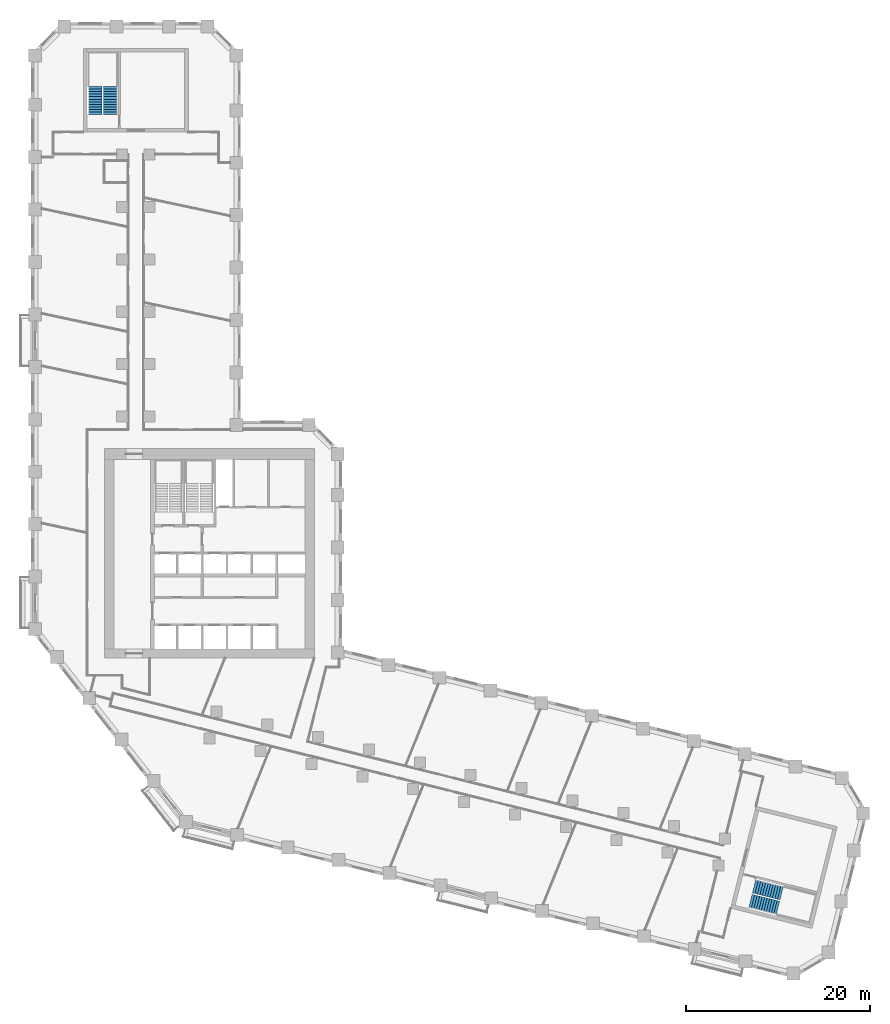
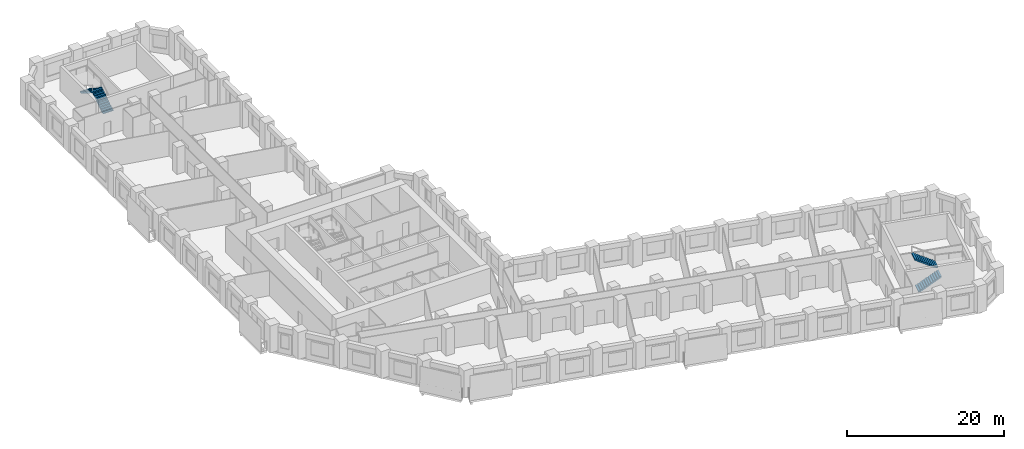
# One storey, part 10 of 11: 4 stair flights, 2 elements without a shape of their own.
"""IFC4 building model written with IfcOpenShell, lengths in metres."""

from ifc_helpers import new_model, si_unit, direction, frame, origin, place, context, subcontext, project, spatial, polyline, outline, extrude, material, type_object, element, aggregate, save


model = new_model("IFC4")

# Units and contexts
model_context = context("Model", 3, precision=1e-05, world=origin(), true_north=direction((0.0, 1.0)))
body_context = subcontext(model_context, "Body", "Model", "MODEL_VIEW")
ifc_project = project(units=[si_unit("LENGTHUNIT", "METRE"), si_unit("AREAUNIT", "SQUARE_METRE"), si_unit("VOLUMEUNIT", "CUBIC_METRE"), si_unit("PLANEANGLEUNIT", "RADIAN"), si_unit("MASSUNIT", "GRAM", prefix="KILO")], contexts=[model_context])

# Site, building, storey
site_placement = place(None, origin())
site = spatial("IfcSite", under=ifc_project, at=site_placement, CompositionType="ELEMENT")
building_placement = place(site_placement, origin())
building = spatial("IfcBuilding", under=site, at=building_placement, Name="Meshkara Civic Tower", CompositionType="ELEMENT")
storey_placement = place(building_placement, frame((0.0, 0.0, 41.39990234375)))
storey = spatial("IfcBuildingStorey", under=building, at=storey_placement, Name="L08", CompositionType="ELEMENT", Elevation=41.39990234375)

# Stair, stair flights
ifc_material_1 = material(Name="Precast concrete C40/50", Category="concrete")
stair_type = type_object("IfcStairType", Name="Exit stair half-turn 24 risers 1500 precast", PredefinedType="HALF_TURN_STAIR", material=ifc_material_1)
stair_1_placement = place(storey_placement, origin())
stair_1 = element("IfcStair", 1, at=stair_1_placement, inside=storey, type_object=stair_type, Name="L08 exit stair A from B2", PredefinedType="HALF_TURN_STAIR")
ifc_material_2 = material(Name="Precast concrete C40/50", Category="concrete")
stair_flight_type = type_object("IfcStairFlightType", Name="Exit stair flight 12 risers 1500 precast", PredefinedType="STRAIGHT", material=ifc_material_2)
stair_flight_1_placement = place(storey_placement, frame((8.625, 73.169921875, 0.0), z_axis=(0.0, 0.0, 1.0), x_axis=(0.0, 1.0, 0.0)))
stair_flight_1 = element("IfcStairFlight", 2, at=stair_flight_1_placement, type_object=stair_flight_type, Name="ESA1 flight 1", NumberOfRisers=12, NumberOfTreads=11, PredefinedType="STRAIGHT", RiserHeight=0.175, TreadLength=0.28, context=body_context, shape_type="SweptSolid", body=[
    extrude(outline(polyline([(0.0, 0.0), (0.0, 0.175048828125), (0.280029296875, 0.175048828125), (0.280029296875, 0.35009765625), (0.56005859375, 0.35009765625), (0.56005859375, 0.52490234375), (0.840087890625, 0.52490234375), (0.840087890625, 0.699951171875), (1.1201171875, 0.699951171875), (1.1201171875, 0.875), (1.39990234375, 0.875), (1.39990234375, 1.050048828125), (1.679931640625, 1.050048828125), (1.679931640625, 1.22509765625), (1.9599609375, 1.22509765625), (1.9599609375, 1.39990234375), (2.239990234375, 1.39990234375), (2.239990234375, 1.574951171875), (2.52001953125, 1.574951171875), (2.52001953125, 1.75), (2.800048828125, 1.75), (2.800048828125, 1.925048828125), (3.080078125, 1.925048828125), (3.080078125, 2.10009765625), (3.080078125, 1.748291015625), (0.28271484375, 0.0), (0.0, 0.0)])), frame((0.0, 0.75, 0.0), z_axis=(0.0, -1.0, 0.0), x_axis=(1.0, 0.0, 0.0)), (0.0, 0.0, 1.0), 1.5),
])
stair_flight_2_placement = place(storey_placement, frame((6.97509765625, 76.25, 2.10009765625), z_axis=(0.0, 0.0, 1.0), x_axis=(0.0, -1.0, 0.0)))
stair_flight_2 = element("IfcStairFlight", 3, at=stair_flight_2_placement, type_object=stair_flight_type, Name="ESA1 flight 2", NumberOfRisers=12, NumberOfTreads=11, PredefinedType="STRAIGHT", RiserHeight=0.175, TreadLength=0.28, context=body_context, shape_type="SweptSolid", body=[
    extrude(outline(polyline([(0.0, 0.0), (0.0, 0.175048828125), (0.280029296875, 0.175048828125), (0.280029296875, 0.35009765625), (0.56005859375, 0.35009765625), (0.56005859375, 0.52490234375), (0.840087890625, 0.52490234375), (0.840087890625, 0.699951171875), (1.1201171875, 0.699951171875), (1.1201171875, 0.875), (1.39990234375, 0.875), (1.39990234375, 1.050048828125), (1.679931640625, 1.050048828125), (1.679931640625, 1.22509765625), (1.9599609375, 1.22509765625), (1.9599609375, 1.39990234375), (2.239990234375, 1.39990234375), (2.239990234375, 1.574951171875), (2.52001953125, 1.574951171875), (2.52001953125, 1.75), (2.800048828125, 1.75), (2.800048828125, 1.925048828125), (3.080078125, 1.925048828125), (3.080078125, 2.10009765625), (3.080078125, 1.748291015625), (0.28271484375, 0.0), (0.0, 0.0)])), frame((0.0, 0.75, 0.0), z_axis=(0.0, -1.0, 0.0), x_axis=(1.0, 0.0, 0.0)), (0.0, 0.0, 1.0), 1.5),
])
aggregate(stair_1, [stair_flight_1, stair_flight_2])

stair_2_placement = place(storey_placement, origin())
stair_2 = element("IfcStair", 4, at=stair_2_placement, inside=storey, type_object=stair_type, Name="L08 exit stair B from B2", PredefinedType="HALF_TURN_STAIR")
stair_flight_3_placement = place(storey_placement, frame((78.214599609375, -12.3125, 0.0), z_axis=(0.0, 0.0, 1.0), x_axis=(0.970260066579, -0.242064873955, 0.0)))
stair_flight_3 = element("IfcStairFlight", 5, at=stair_flight_3_placement, type_object=stair_flight_type, Name="ESB1 flight 1", NumberOfRisers=12, NumberOfTreads=11, PredefinedType="STRAIGHT", RiserHeight=0.175, TreadLength=0.28, context=body_context, shape_type="SweptSolid", body=[
    extrude(outline(polyline([(0.0, 0.0), (0.0, 0.175048828125), (0.280029296875, 0.175048828125), (0.280029296875, 0.35009765625), (0.56005859375, 0.35009765625), (0.56005859375, 0.52490234375), (0.840087890625, 0.52490234375), (0.840087890625, 0.699951171875), (1.1201171875, 0.699951171875), (1.1201171875, 0.875), (1.39990234375, 0.875), (1.39990234375, 1.050048828125), (1.679931640625, 1.050048828125), (1.679931640625, 1.22509765625), (1.9599609375, 1.22509765625), (1.9599609375, 1.39990234375), (2.239990234375, 1.39990234375), (2.239990234375, 1.574951171875), (2.52001953125, 1.574951171875), (2.52001953125, 1.75), (2.800048828125, 1.75), (2.800048828125, 1.925048828125), (3.080078125, 1.925048828125), (3.080078125, 2.10009765625), (3.080078125, 1.748291015625), (0.28271484375, 0.0), (0.0, 0.0)])), frame((0.0, 0.75, 0.0), z_axis=(0.0, -1.0, 0.0), x_axis=(1.0, 0.0, 0.0)), (0.0, 0.0, 1.0), 1.5),
])
stair_flight_4_placement = place(storey_placement, frame((81.6025390625, -11.457275390625, 2.10009765625), z_axis=(0.0, 0.0, 1.0), x_axis=(-0.970260066579, 0.242064873955, 0.0)))
stair_flight_4 = element("IfcStairFlight", 6, at=stair_flight_4_placement, type_object=stair_flight_type, Name="ESB1 flight 2", NumberOfRisers=12, NumberOfTreads=11, PredefinedType="STRAIGHT", RiserHeight=0.175, TreadLength=0.28, context=body_context, shape_type="SweptSolid", body=[
    extrude(outline(polyline([(0.0, 0.0), (0.0, 0.175048828125), (0.280029296875, 0.175048828125), (0.280029296875, 0.35009765625), (0.56005859375, 0.35009765625), (0.56005859375, 0.52490234375), (0.840087890625, 0.52490234375), (0.840087890625, 0.699951171875), (1.1201171875, 0.699951171875), (1.1201171875, 0.875), (1.39990234375, 0.875), (1.39990234375, 1.050048828125), (1.679931640625, 1.050048828125), (1.679931640625, 1.22509765625), (1.9599609375, 1.22509765625), (1.9599609375, 1.39990234375), (2.239990234375, 1.39990234375), (2.239990234375, 1.574951171875), (2.52001953125, 1.574951171875), (2.52001953125, 1.75), (2.800048828125, 1.75), (2.800048828125, 1.925048828125), (3.080078125, 1.925048828125), (3.080078125, 2.10009765625), (3.080078125, 1.748291015625), (0.28271484375, 0.0), (0.0, 0.0)])), frame((0.0, 0.75, 0.0), z_axis=(0.0, -1.0, 0.0), x_axis=(1.0, 0.0, 0.0)), (0.0, 0.0, 1.0), 1.5),
])
aggregate(stair_2, [stair_flight_3, stair_flight_4])

save(model, "model.ifc")
